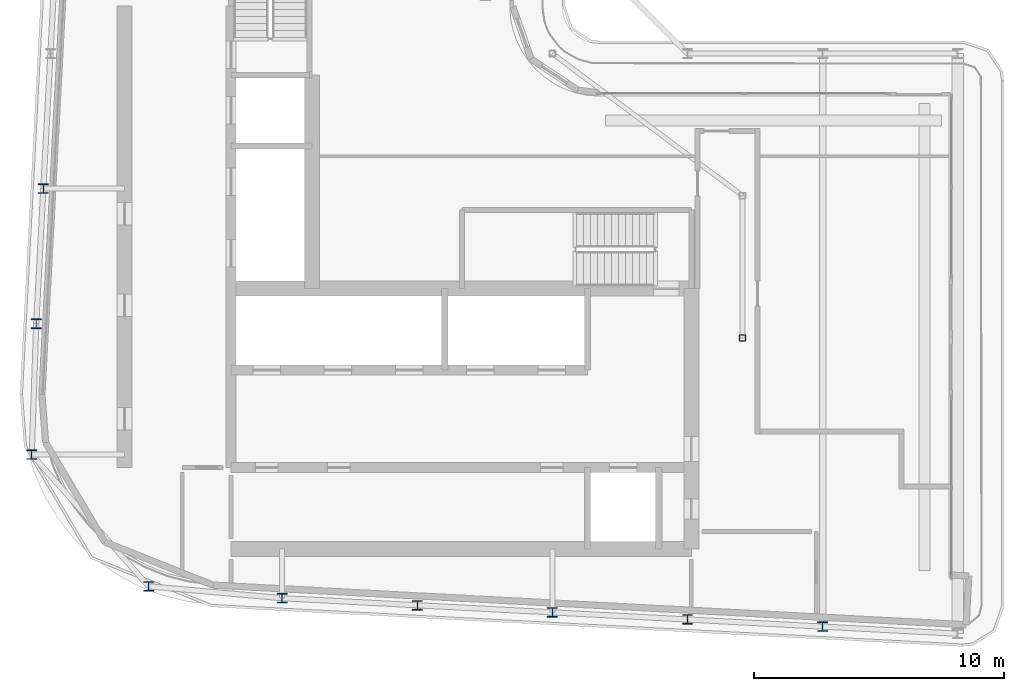
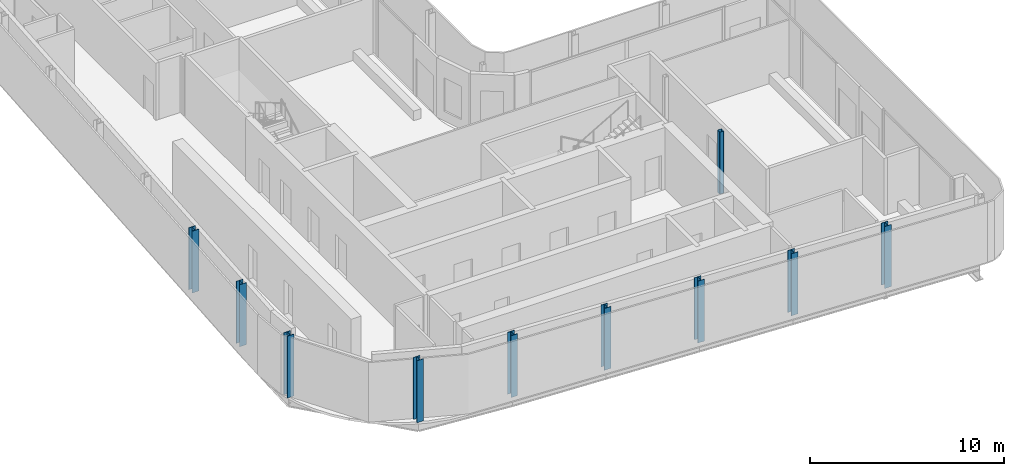
# One storey, part 1 of 21: 10 columns.
"""IFC4 building model written with IfcOpenShell, lengths in metres."""

from ifc_helpers import new_model, si_unit, direction, frame, origin, origin_2d, place, context, subcontext, project, spatial, hollow_rectangle, i_section, extrude, material, material_profile, profile_set, type_object, element, save


model = new_model("IFC4")

# Units and contexts
model_context = context("Model", 3, precision=1e-05, world=origin(), true_north=direction((0.0, 1.0)))
body_context = subcontext(model_context, "Body", "Model", "MODEL_VIEW")
ifc_project = project(units=[si_unit("LENGTHUNIT", "METRE"), si_unit("AREAUNIT", "SQUARE_METRE"), si_unit("VOLUMEUNIT", "CUBIC_METRE"), si_unit("PLANEANGLEUNIT", "RADIAN"), si_unit("MASSUNIT", "GRAM", prefix="KILO")], contexts=[model_context])

# Site, building, storey
site_placement = place(None, origin())
site = spatial("IfcSite", under=ifc_project, at=site_placement, CompositionType="ELEMENT")
building_placement = place(site_placement, origin())
building = spatial("IfcBuilding", under=site, at=building_placement, Name="Kheshtan School and Residences Tower", CompositionType="ELEMENT")
storey_placement = place(building_placement, frame((0.0, 0.0, 278.60009765625)))
storey = spatial("IfcBuildingStorey", under=building, at=storey_placement, Name="L65", CompositionType="ELEMENT", Elevation=278.60009765625)

# Columns
ifc_material_1 = material(Name="Steel ASTM A992 Grade 50", Category="steel")
ifc_material_profile_1 = material_profile(ifc_material_1, i_section(OverallWidth=0.39501953125, OverallDepth=0.3798828125, WebThickness=0.018798828125, FlangeThickness=0.0302734375, FilletRadius=0.011474609375, at=origin_2d()), Name="W360x237")
ifc_profile_set_1 = profile_set([ifc_material_profile_1], Name="Steel ASTM A992 Grade 50")
column_type_1 = type_object("IfcColumnType", Name="Column C5 W360x237 ASTM A992 Grade 50", PredefinedType="COLUMN", material=ifc_profile_set_1)
for number, where, z_axis, x_axis, name in (
    (1, (58.39990234375, 22.695068359375, 0.0), (0.0, 0.0, 1.0), (1.0, 0.0, 0.0), "Column C018"),
    (2, (53.0, 22.97998046875, 0.0), (0.0, 0.0, 1.0), (1.0, 0.0, 0.0), "Column C019"),
    (3, (47.60009765625, 23.263916015625, 0.0), (0.0, 0.0, 1.0), (1.0, 0.0, 0.0), "Column C020"),
    (4, (42.199951171875, 23.548095703125, 0.0), (0.0, 0.0, 1.0), (1.0, 0.0, 0.0), "Column C021"),
    (5, (36.800048828125, 23.83203125, 0.0), (0.0, 0.0, 1.0), (1.0, 0.0, 0.0), "Column C022"),
    (6, (31.465087890625, 24.304931640625, 0.0), (0.0, 0.0, 1.0), (1.0, 0.0, 0.0), "Column C122"),
    (7, (26.7880859375, 29.571044921875, 0.0), (0.0, 0.0, 1.0), (1.0, 0.0, 0.0), "Column C123"),
    (8, (26.968994140625, 34.800048828125, 0.0), (0.0, 0.0, 1.0), (1.0, 0.0, 0.0), "Column C052"),
    (9, (27.2529296875, 40.199951171875, 0.0), (0.0, 0.0, 1.0), (1.0, 0.0, 0.0), "Column C056"),
):
    element("IfcColumn", number, at=place(storey_placement, frame(where, z_axis=z_axis, x_axis=x_axis)), inside=storey, type_object=column_type_1, Name=name, PredefinedType="COLUMN", context=body_context, shape_type="SweptSolid", body=[
        extrude(i_section(OverallWidth=0.39501953125, OverallDepth=0.3798828125, WebThickness=0.018798828125, FlangeThickness=0.0302734375, FilletRadius=0.011474609375, at=origin_2d()), origin(), (0.0, 0.0, 1.0), 3.89990234375),
    ])
ifc_material_2 = material(Name="Steel ASTM A500 Grade C", Category="steel")
ifc_material_profile_2 = material_profile(ifc_material_2, hollow_rectangle(XDim=0.25390625, YDim=0.25390625, WallThickness=0.0126953125, InnerFilletRadius=0.0126953125, OuterFilletRadius=0.025390625, at=origin_2d()), Name="HSS 254x254x12.7")
ifc_profile_set_2 = profile_set([ifc_material_profile_2], Name="Steel ASTM A500 Grade C")
column_type_2 = type_object("IfcColumnType", Name="Column IC3 HSS 254x254x12.7 ASTM A500 Grade C", PredefinedType="COLUMN", material=ifc_profile_set_2)
column_placement = place(storey_placement, frame((55.199951171875, 34.23193359375, 0.0), z_axis=(0.0, 0.0, 1.0), x_axis=(1.0, 0.0, 0.0)))
element("IfcColumn", 10, at=column_placement, inside=storey, type_object=column_type_2, Name="Column C051", PredefinedType="COLUMN", context=body_context, shape_type="SweptSolid", body=[
    extrude(hollow_rectangle(XDim=0.25390625, YDim=0.25390625, WallThickness=0.0126953125, InnerFilletRadius=0.0126953125, OuterFilletRadius=0.025390625, at=origin_2d()), origin(), (0.0, 0.0, 1.0), 3.89990234375),
])

save(model, "model.ifc")
